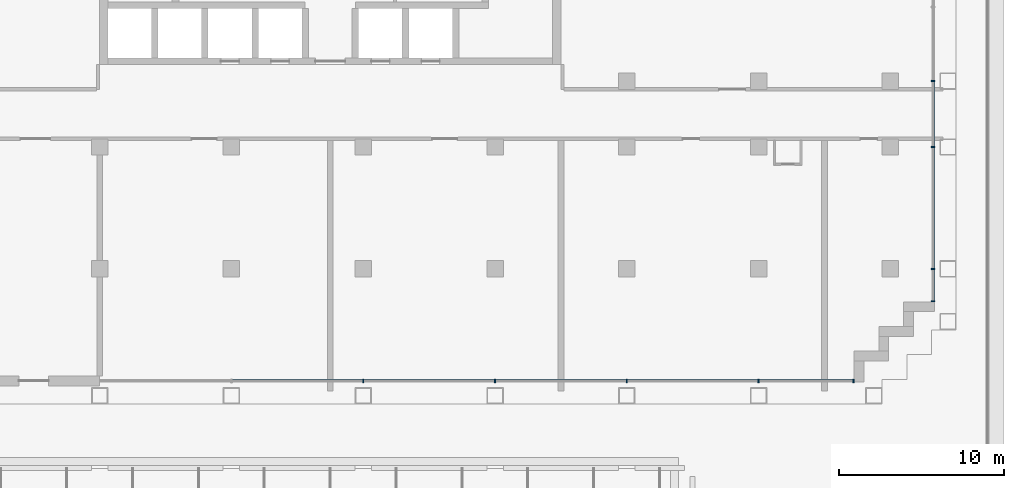
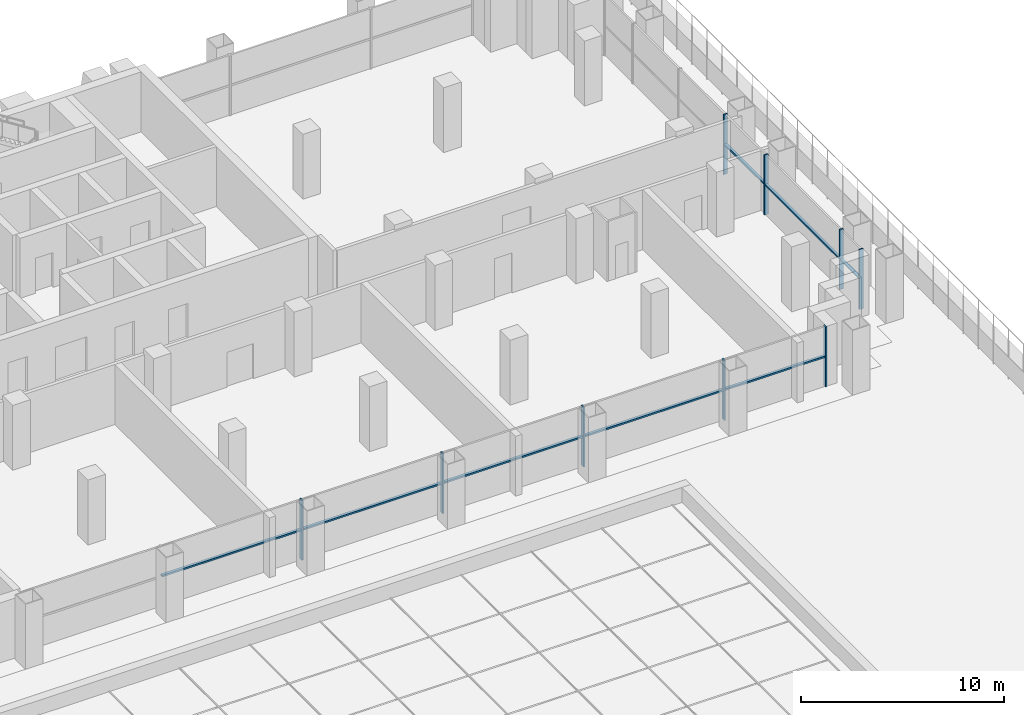
# One storey, part 4 of 16: 17 members, 2 elements without a shape of their own.
"""IFC4 building model written with IfcOpenShell, lengths in metres."""

from ifc_helpers import new_model, si_unit, direction, frame, origin, origin_2d, place, context, subcontext, project, spatial, rectangle, extrude, material, material_profile, profile_set, type_object, element, aggregate, save


model = new_model("IFC4")

# Units and contexts
model_context = context("Model", 3, precision=1e-05, world=origin(), true_north=direction((0.0, 1.0)))
body_context = subcontext(model_context, "Body", "Model", "MODEL_VIEW")
ifc_project = project(units=[si_unit("LENGTHUNIT", "METRE"), si_unit("AREAUNIT", "SQUARE_METRE"), si_unit("VOLUMEUNIT", "CUBIC_METRE"), si_unit("PLANEANGLEUNIT", "RADIAN"), si_unit("MASSUNIT", "GRAM", prefix="KILO")], contexts=[model_context])

# Site, building, storey
site_placement = place(None, origin())
site = spatial("IfcSite", under=ifc_project, at=site_placement, CompositionType="ELEMENT")
building_placement = place(site_placement, origin())
building = spatial("IfcBuilding", under=site, at=building_placement, Name="Vidyagriha Tower", CompositionType="ELEMENT")
storey_placement = place(building_placement, frame((0.0, 0.0, 26.0)))
storey = spatial("IfcBuildingStorey", under=building, at=storey_placement, Name="L06", CompositionType="ELEMENT", Elevation=26.0)

# Curtain wall, members
ifc_material_1 = material(Name="Aluminium and glass curtain wall", Category="aluminium")
curtain_wall_type = type_object("IfcCurtainWallType", Name="Plant louvre wall", PredefinedType="USERDEFINED", material=ifc_material_1)
curtain_wall_1_placement = place(storey_placement, origin())
curtain_wall_1 = element("IfcCurtainWall", 1, at=curtain_wall_1_placement, inside=storey, type_object=curtain_wall_type, Name="CW7 plant louvre wall", ObjectType="STICK GLAZING", PredefinedType="USERDEFINED")
ifc_material_2 = material(Name="Aluminium black anodised", Category="aluminium")
ifc_material_profile_1 = material_profile(ifc_material_2, rectangle(XDim=0.219970703125, YDim=0.080078125, at=origin_2d()), Name="Mullion 80x220 black aluminium")
ifc_profile_set_1 = profile_set([ifc_material_profile_1], Name="Aluminium black anodised")
member_type_1 = type_object("IfcMemberType", Name="Mullion 80x220 black aluminium", PredefinedType="MULLION", material=ifc_profile_set_1)
member_1_placement = place(storey_placement, frame((2.0, -16.199951171875, 0.0), z_axis=(0.0, 0.0, 1.0), x_axis=(0.0, 1.0, 0.0)))
member_1 = element("IfcMember", 2, at=member_1_placement, type_object=member_type_1, Name="CW7 mullion 3", PredefinedType="MULLION", context=body_context, shape_type="SweptSolid", body=[
    extrude(rectangle(XDim=0.219970703125, YDim=0.080078125, at=origin_2d()), origin(), (0.0, 0.0, 1.0), 3.60009765625),
])
member_2_placement = place(storey_placement, frame((10.0, -16.199951171875, 0.0), z_axis=(0.0, 0.0, 1.0), x_axis=(0.0, 1.0, 0.0)))
member_2 = element("IfcMember", 3, at=member_2_placement, type_object=member_type_1, Name="CW7 mullion 4", PredefinedType="MULLION", context=body_context, shape_type="SweptSolid", body=[
    extrude(rectangle(XDim=0.219970703125, YDim=0.080078125, at=origin_2d()), origin(), (0.0, 0.0, 1.0), 3.60009765625),
])
member_3_placement = place(storey_placement, frame((18.0, -16.199951171875, 0.0), z_axis=(0.0, 0.0, 1.0), x_axis=(0.0, 1.0, 0.0)))
member_3 = element("IfcMember", 4, at=member_3_placement, type_object=member_type_1, Name="CW7 mullion 5", PredefinedType="MULLION", context=body_context, shape_type="SweptSolid", body=[
    extrude(rectangle(XDim=0.219970703125, YDim=0.080078125, at=origin_2d()), origin(), (0.0, 0.0, 1.0), 3.60009765625),
])
member_4_placement = place(storey_placement, frame((26.0, -16.199951171875, 0.0), z_axis=(0.0, 0.0, 1.0), x_axis=(0.0, 1.0, 0.0)))
member_4 = element("IfcMember", 5, at=member_4_placement, type_object=member_type_1, Name="CW7 mullion 6", PredefinedType="MULLION", context=body_context, shape_type="SweptSolid", body=[
    extrude(rectangle(XDim=0.219970703125, YDim=0.080078125, at=origin_2d()), origin(), (0.0, 0.0, 1.0), 3.60009765625),
])
member_5_placement = place(storey_placement, frame((31.760009765625, -16.199951171875, 0.0), z_axis=(0.0, 0.0, 1.0), x_axis=(0.0, 1.0, 0.0)))
member_5 = element("IfcMember", 6, at=member_5_placement, type_object=member_type_1, Name="CW7 mullion 7", PredefinedType="MULLION", context=body_context, shape_type="SweptSolid", body=[
    extrude(rectangle(XDim=0.219970703125, YDim=0.080078125, at=origin_2d()), origin(), (0.0, 0.0, 1.0), 3.60009765625),
])

curtain_wall_2_placement = place(storey_placement, origin())
curtain_wall_2 = element("IfcCurtainWall", 7, at=curtain_wall_2_placement, inside=storey, type_object=curtain_wall_type, Name="CW7 plant louvre wall", ObjectType="STICK GLAZING", PredefinedType="USERDEFINED")
member_6_placement = place(storey_placement, frame((36.60009765625, -11.360107421875, 0.0), z_axis=(0.0, 0.0, 1.0), x_axis=(-1.0, 0.0, 0.0)))
member_6 = element("IfcMember", 8, at=member_6_placement, type_object=member_type_1, Name="CW7 mullion 1", PredefinedType="MULLION", context=body_context, shape_type="SweptSolid", body=[
    extrude(rectangle(XDim=0.219970703125, YDim=0.080078125, at=origin_2d()), origin(), (0.0, 0.0, 1.0), 3.60009765625),
])
member_7_placement = place(storey_placement, frame((36.60009765625, -9.39990234375, 0.0), z_axis=(0.0, 0.0, 1.0), x_axis=(-1.0, 0.0, 0.0)))
member_7 = element("IfcMember", 9, at=member_7_placement, type_object=member_type_1, Name="CW7 mullion 2", PredefinedType="MULLION", context=body_context, shape_type="SweptSolid", body=[
    extrude(rectangle(XDim=0.219970703125, YDim=0.080078125, at=origin_2d()), origin(), (0.0, 0.0, 1.0), 3.60009765625),
])
member_8_placement = place(storey_placement, frame((36.60009765625, -2.0, 0.0), z_axis=(0.0, 0.0, 1.0), x_axis=(-1.0, 0.0, 0.0)))
member_8 = element("IfcMember", 10, at=member_8_placement, type_object=member_type_1, Name="CW7 mullion 3", PredefinedType="MULLION", context=body_context, shape_type="SweptSolid", body=[
    extrude(rectangle(XDim=0.219970703125, YDim=0.080078125, at=origin_2d()), origin(), (0.0, 0.0, 1.0), 3.60009765625),
])
member_9_placement = place(storey_placement, frame((36.60009765625, 2.0, 0.0), z_axis=(0.0, 0.0, 1.0), x_axis=(-1.0, 0.0, 0.0)))
member_9 = element("IfcMember", 11, at=member_9_placement, type_object=member_type_1, Name="CW7 mullion 4", PredefinedType="MULLION", context=body_context, shape_type="SweptSolid", body=[
    extrude(rectangle(XDim=0.219970703125, YDim=0.080078125, at=origin_2d()), origin(), (0.0, 0.0, 1.0), 3.60009765625),
])

# Member
ifc_material_3 = material(Name="Aluminium black anodised", Category="aluminium")
ifc_material_profile_2 = material_profile(ifc_material_3, rectangle(XDim=0.159912109375, YDim=0.10009765625, at=origin_2d()), Name="Transom 100x160 black aluminium")
ifc_profile_set_2 = profile_set([ifc_material_profile_2], Name="Aluminium black anodised")
member_type_2 = type_object("IfcMemberType", Name="Transom 100x160 black aluminium", PredefinedType="USERDEFINED", material=ifc_profile_set_2)
member_10_placement = place(storey_placement, frame((-5.9599609375, -16.199951171875, 1.800048828125), z_axis=(1.0, 0.0, 0.0), x_axis=(0.0, 1.0, 0.0)))
member_10 = element("IfcMember", 12, at=member_10_placement, type_object=member_type_2, Name="CW7 transom 2.1", ObjectType="TRANSOM", PredefinedType="USERDEFINED", context=body_context, shape_type="SweptSolid", body=[
    extrude(rectangle(XDim=0.159912109375, YDim=0.10009765625, at=origin_2d()), origin(), (0.0, 0.0, 1.0), 7.919921875),
])

member_11_placement = place(storey_placement, frame((2.0400390625, -16.199951171875, 1.800048828125), z_axis=(1.0, 0.0, 0.0), x_axis=(0.0, 1.0, 0.0)))
member_11 = element("IfcMember", 13, at=member_11_placement, type_object=member_type_2, Name="CW7 transom 3.1", ObjectType="TRANSOM", PredefinedType="USERDEFINED", context=body_context, shape_type="SweptSolid", body=[
    extrude(rectangle(XDim=0.159912109375, YDim=0.10009765625, at=origin_2d()), origin(), (0.0, 0.0, 1.0), 7.919921875),
])

member_12_placement = place(storey_placement, frame((10.0400390625, -16.199951171875, 1.800048828125), z_axis=(1.0, 0.0, 0.0), x_axis=(0.0, 1.0, 0.0)))
member_12 = element("IfcMember", 14, at=member_12_placement, type_object=member_type_2, Name="CW7 transom 4.1", ObjectType="TRANSOM", PredefinedType="USERDEFINED", context=body_context, shape_type="SweptSolid", body=[
    extrude(rectangle(XDim=0.159912109375, YDim=0.10009765625, at=origin_2d()), origin(), (0.0, 0.0, 1.0), 7.919921875),
])

member_13_placement = place(storey_placement, frame((18.0400390625, -16.199951171875, 1.800048828125), z_axis=(1.0, 0.0, 0.0), x_axis=(0.0, 1.0, 0.0)))
member_13 = element("IfcMember", 15, at=member_13_placement, type_object=member_type_2, Name="CW7 transom 5.1", ObjectType="TRANSOM", PredefinedType="USERDEFINED", context=body_context, shape_type="SweptSolid", body=[
    extrude(rectangle(XDim=0.159912109375, YDim=0.10009765625, at=origin_2d()), origin(), (0.0, 0.0, 1.0), 7.919921875),
])

member_14_placement = place(storey_placement, frame((26.0400390625, -16.199951171875, 1.800048828125), z_axis=(1.0, 0.0, 0.0), x_axis=(0.0, 1.0, 0.0)))
member_14 = element("IfcMember", 16, at=member_14_placement, type_object=member_type_2, Name="CW7 transom 6.1", ObjectType="TRANSOM", PredefinedType="USERDEFINED", context=body_context, shape_type="SweptSolid", body=[
    extrude(rectangle(XDim=0.159912109375, YDim=0.10009765625, at=origin_2d()), origin(), (0.0, 0.0, 1.0), 5.679931640625),
])

aggregate(curtain_wall_1, [member_1, member_2, member_3, member_4, member_5, member_10, member_11, member_12, member_13, member_14])

member_15_placement = place(storey_placement, frame((36.60009765625, -11.320068359375, 1.800048828125), z_axis=(0.0, 1.0, 0.0), x_axis=(-1.0, 0.0, 0.0)))
member_15 = element("IfcMember", 17, at=member_15_placement, type_object=member_type_2, Name="CW7 transom 1.1", ObjectType="TRANSOM", PredefinedType="USERDEFINED", context=body_context, shape_type="SweptSolid", body=[
    extrude(rectangle(XDim=0.159912109375, YDim=0.10009765625, at=origin_2d()), origin(), (0.0, 0.0, 1.0), 1.880126953125),
])

member_16_placement = place(storey_placement, frame((36.60009765625, -9.360107421875, 1.800048828125), z_axis=(0.0, 1.0, 0.0), x_axis=(-1.0, 0.0, 0.0)))
member_16 = element("IfcMember", 18, at=member_16_placement, type_object=member_type_2, Name="CW7 transom 2.1", ObjectType="TRANSOM", PredefinedType="USERDEFINED", context=body_context, shape_type="SweptSolid", body=[
    extrude(rectangle(XDim=0.159912109375, YDim=0.10009765625, at=origin_2d()), origin(), (0.0, 0.0, 1.0), 7.320068359375),
])

member_17_placement = place(storey_placement, frame((36.60009765625, -1.9599609375, 1.800048828125), z_axis=(0.0, 1.0, 0.0), x_axis=(-1.0, 0.0, 0.0)))
member_17 = element("IfcMember", 19, at=member_17_placement, type_object=member_type_2, Name="CW7 transom 3.1", ObjectType="TRANSOM", PredefinedType="USERDEFINED", context=body_context, shape_type="SweptSolid", body=[
    extrude(rectangle(XDim=0.159912109375, YDim=0.10009765625, at=origin_2d()), origin(), (0.0, 0.0, 1.0), 3.919921875),
])

aggregate(curtain_wall_2, [member_6, member_7, member_8, member_9, member_15, member_16, member_17])

save(model, "model.ifc")
